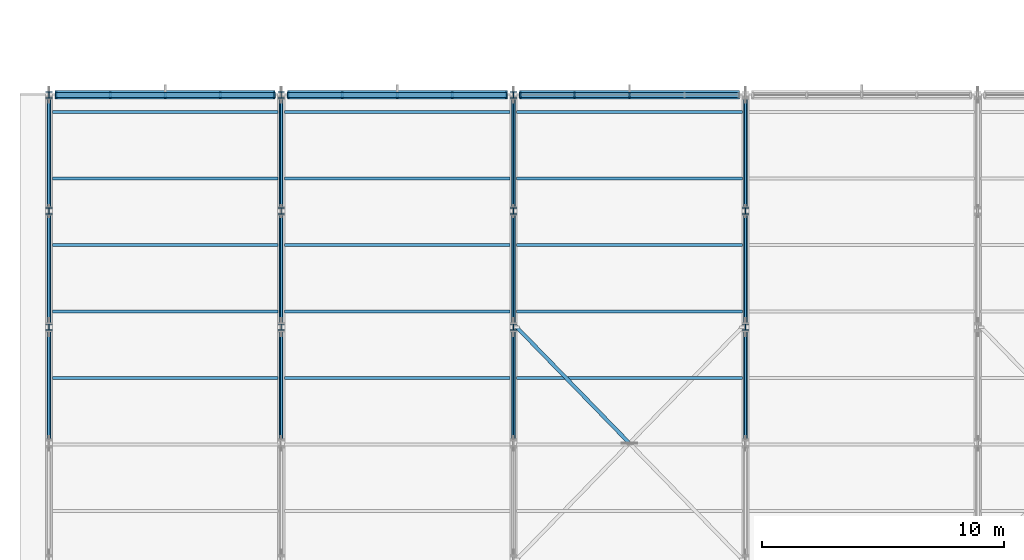
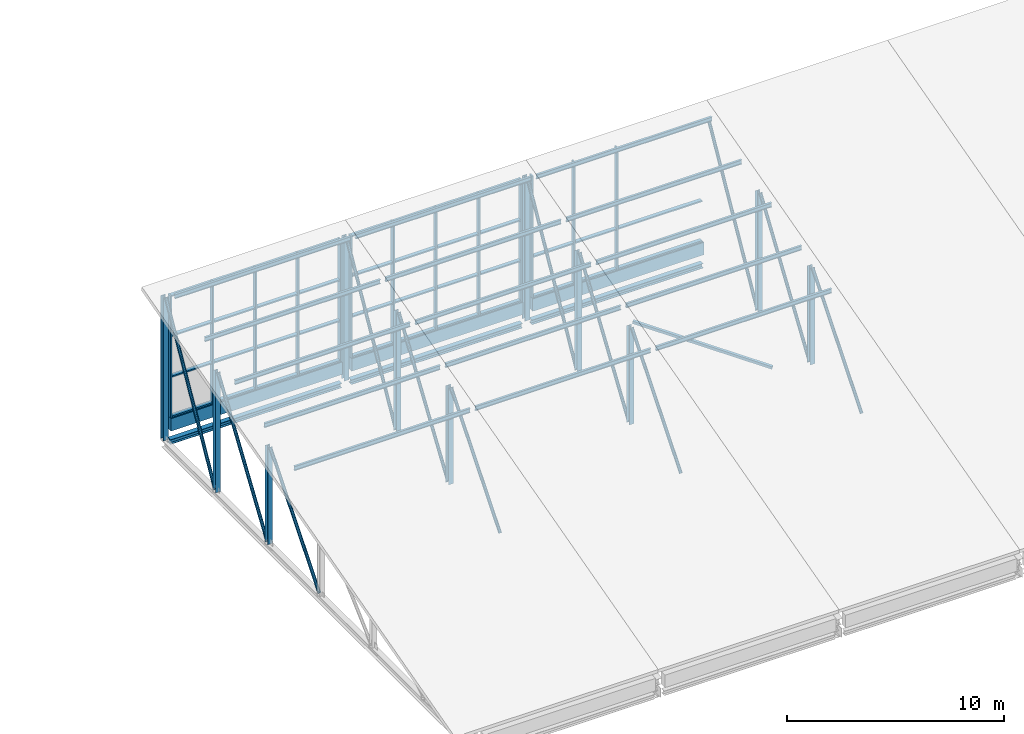
# One storey, part 5 of 57: 65 members, 3 beams, 3 elements without a shape of their own.
"""IFC4 building model written with IfcOpenShell, lengths in metres."""

from ifc_helpers import new_model, si_unit, direction, frame, origin, origin_2d, place, context, subcontext, project, spatial, rectangle, hollow_rectangle, hollow_circle, i_section, extrude, material, material_profile, profile_set, type_object, element, aggregate, save


model = new_model("IFC4")

# Units and contexts
model_context = context("Model", 3, precision=1e-05, world=origin(), true_north=direction((0.0, 1.0)))
body_context = subcontext(model_context, "Body", "Model", "MODEL_VIEW")
ifc_project = project(units=[si_unit("LENGTHUNIT", "METRE"), si_unit("AREAUNIT", "SQUARE_METRE"), si_unit("VOLUMEUNIT", "CUBIC_METRE"), si_unit("PLANEANGLEUNIT", "RADIAN"), si_unit("MASSUNIT", "GRAM", prefix="KILO")], contexts=[model_context])

# Site, building, storey
site_placement = place(None, origin())
site = spatial("IfcSite", under=ifc_project, at=site_placement, CompositionType="ELEMENT")
building_placement = place(site_placement, origin())
building = spatial("IfcBuilding", under=site, at=building_placement, Name="Shalvenor Court Art Gallery", CompositionType="ELEMENT")
storey_placement = place(building_placement, frame((0.0, 0.0, 16.800048828125)))
storey = spatial("IfcBuildingStorey", under=building, at=storey_placement, Name="L03", CompositionType="ELEMENT", Elevation=16.800048828125)

# Curtain wall, members
ifc_material_1 = material(Name="Anodised aluminium and low-iron glass curtain wall", Category="aluminium")
curtain_wall_type = type_object("IfcCurtainWallType", Name="CW-NL-V4", PredefinedType="USERDEFINED", material=ifc_material_1)
curtain_wall_1_placement = place(storey_placement, origin())
curtain_wall_1 = element("IfcCurtainWall", 1, at=curtain_wall_1_placement, inside=storey, type_object=curtain_wall_type, Name="L03 V4 North Light Clerestory 1", ObjectType="CURTAIN WALL", PredefinedType="USERDEFINED")
ifc_material_2 = material(Name="Dark anodised bronze aluminium mullion", Category="aluminium")
ifc_material_profile_1 = material_profile(ifc_material_2, rectangle(XDim=0.080078125, YDim=0.239990234375, at=origin_2d()), Name="CWM-05")
ifc_profile_set_1 = profile_set([ifc_material_profile_1], Name="Dark anodised bronze aluminium mullion")
member_type_1 = type_object("IfcMemberType", Name="CWM-05", PredefinedType="MULLION", material=ifc_profile_set_1)
member_1_placement = place(storey_placement, frame((0.2900390625, 28.800048828125, 0.0), z_axis=(0.0, 0.0, 1.0), x_axis=(1.0, 0.0, 0.0)))
member_1 = element("IfcMember", 2, at=member_1_placement, type_object=member_type_1, Name="CW-NL-V4 mullion 1", PredefinedType="MULLION", context=body_context, shape_type="SweptSolid", body=[
    extrude(rectangle(XDim=0.080078125, YDim=0.239990234375, at=origin_2d()), origin(), (0.0, 0.0, 1.0), 6.849853515625),
])
member_2_placement = place(storey_placement, frame((2.52490234375, 28.800048828125, 0.0), z_axis=(0.0, 0.0, 1.0), x_axis=(1.0, 0.0, 0.0)))
member_2 = element("IfcMember", 3, at=member_2_placement, type_object=member_type_1, Name="CW-NL-V4 mullion 2", PredefinedType="MULLION", context=body_context, shape_type="SweptSolid", body=[
    extrude(rectangle(XDim=0.080078125, YDim=0.239990234375, at=origin_2d()), origin(), (0.0, 0.0, 1.0), 6.849853515625),
])
member_3_placement = place(storey_placement, frame((4.800048828125, 28.800048828125, 0.0), z_axis=(0.0, 0.0, 1.0), x_axis=(1.0, 0.0, 0.0)))
member_3 = element("IfcMember", 4, at=member_3_placement, type_object=member_type_1, Name="CW-NL-V4 mullion 3", PredefinedType="MULLION", context=body_context, shape_type="SweptSolid", body=[
    extrude(rectangle(XDim=0.080078125, YDim=0.239990234375, at=origin_2d()), origin(), (0.0, 0.0, 1.0), 6.849853515625),
])
member_4_placement = place(storey_placement, frame((7.074951171875, 28.800048828125, 0.0), z_axis=(0.0, 0.0, 1.0), x_axis=(1.0, 0.0, 0.0)))
member_4 = element("IfcMember", 5, at=member_4_placement, type_object=member_type_1, Name="CW-NL-V4 mullion 4", PredefinedType="MULLION", context=body_context, shape_type="SweptSolid", body=[
    extrude(rectangle(XDim=0.080078125, YDim=0.239990234375, at=origin_2d()), origin(), (0.0, 0.0, 1.0), 6.849853515625),
])
member_5_placement = place(storey_placement, frame((9.31005859375, 28.800048828125, 0.0), z_axis=(0.0, 0.0, 1.0), x_axis=(1.0, 0.0, 0.0)))
member_5 = element("IfcMember", 6, at=member_5_placement, type_object=member_type_1, Name="CW-NL-V4 mullion 5", PredefinedType="MULLION", context=body_context, shape_type="SweptSolid", body=[
    extrude(rectangle(XDim=0.080078125, YDim=0.239990234375, at=origin_2d()), origin(), (0.0, 0.0, 1.0), 6.849853515625),
])

curtain_wall_2_placement = place(storey_placement, origin())
curtain_wall_2 = element("IfcCurtainWall", 7, at=curtain_wall_2_placement, inside=storey, type_object=curtain_wall_type, Name="L03 V4 North Light Clerestory 2", ObjectType="CURTAIN WALL", PredefinedType="USERDEFINED")
member_6_placement = place(storey_placement, frame((9.889892578125, 28.800048828125, 0.0), z_axis=(0.0, 0.0, 1.0), x_axis=(1.0, 0.0, 0.0)))
member_6 = element("IfcMember", 8, at=member_6_placement, type_object=member_type_1, Name="CW-NL-V4 mullion 1", PredefinedType="MULLION", context=body_context, shape_type="SweptSolid", body=[
    extrude(rectangle(XDim=0.080078125, YDim=0.239990234375, at=origin_2d()), origin(), (0.0, 0.0, 1.0), 6.849853515625),
])
member_7_placement = place(storey_placement, frame((12.125, 28.800048828125, 0.0), z_axis=(0.0, 0.0, 1.0), x_axis=(1.0, 0.0, 0.0)))
member_7 = element("IfcMember", 9, at=member_7_placement, type_object=member_type_1, Name="CW-NL-V4 mullion 2", PredefinedType="MULLION", context=body_context, shape_type="SweptSolid", body=[
    extrude(rectangle(XDim=0.080078125, YDim=0.239990234375, at=origin_2d()), origin(), (0.0, 0.0, 1.0), 6.849853515625),
])
member_8_placement = place(storey_placement, frame((14.39990234375, 28.800048828125, 0.0), z_axis=(0.0, 0.0, 1.0), x_axis=(1.0, 0.0, 0.0)))
member_8 = element("IfcMember", 10, at=member_8_placement, type_object=member_type_1, Name="CW-NL-V4 mullion 3", PredefinedType="MULLION", context=body_context, shape_type="SweptSolid", body=[
    extrude(rectangle(XDim=0.080078125, YDim=0.239990234375, at=origin_2d()), origin(), (0.0, 0.0, 1.0), 6.849853515625),
])
member_9_placement = place(storey_placement, frame((16.675048828125, 28.800048828125, 0.0), z_axis=(0.0, 0.0, 1.0), x_axis=(1.0, 0.0, 0.0)))
member_9 = element("IfcMember", 11, at=member_9_placement, type_object=member_type_1, Name="CW-NL-V4 mullion 4", PredefinedType="MULLION", context=body_context, shape_type="SweptSolid", body=[
    extrude(rectangle(XDim=0.080078125, YDim=0.239990234375, at=origin_2d()), origin(), (0.0, 0.0, 1.0), 6.849853515625),
])
member_10_placement = place(storey_placement, frame((18.909912109375, 28.800048828125, 0.0), z_axis=(0.0, 0.0, 1.0), x_axis=(1.0, 0.0, 0.0)))
member_10 = element("IfcMember", 12, at=member_10_placement, type_object=member_type_1, Name="CW-NL-V4 mullion 5", PredefinedType="MULLION", context=body_context, shape_type="SweptSolid", body=[
    extrude(rectangle(XDim=0.080078125, YDim=0.239990234375, at=origin_2d()), origin(), (0.0, 0.0, 1.0), 6.849853515625),
])

curtain_wall_3_placement = place(storey_placement, origin())
curtain_wall_3 = element("IfcCurtainWall", 13, at=curtain_wall_3_placement, inside=storey, type_object=curtain_wall_type, Name="L03 V4 North Light Clerestory 3", ObjectType="CURTAIN WALL", PredefinedType="USERDEFINED")
member_11_placement = place(storey_placement, frame((19.489990234375, 28.800048828125, 0.0), z_axis=(0.0, 0.0, 1.0), x_axis=(1.0, 0.0, 0.0)))
member_11 = element("IfcMember", 14, at=member_11_placement, type_object=member_type_1, Name="CW-NL-V4 mullion 1", PredefinedType="MULLION", context=body_context, shape_type="SweptSolid", body=[
    extrude(rectangle(XDim=0.080078125, YDim=0.239990234375, at=origin_2d()), origin(), (0.0, 0.0, 1.0), 6.849853515625),
])
member_12_placement = place(storey_placement, frame((21.72509765625, 28.800048828125, 0.0), z_axis=(0.0, 0.0, 1.0), x_axis=(1.0, 0.0, 0.0)))
member_12 = element("IfcMember", 15, at=member_12_placement, type_object=member_type_1, Name="CW-NL-V4 mullion 2", PredefinedType="MULLION", context=body_context, shape_type="SweptSolid", body=[
    extrude(rectangle(XDim=0.080078125, YDim=0.239990234375, at=origin_2d()), origin(), (0.0, 0.0, 1.0), 6.849853515625),
])
member_13_placement = place(storey_placement, frame((24.0, 28.800048828125, 0.0), z_axis=(0.0, 0.0, 1.0), x_axis=(1.0, 0.0, 0.0)))
member_13 = element("IfcMember", 16, at=member_13_placement, type_object=member_type_1, Name="CW-NL-V4 mullion 3", PredefinedType="MULLION", context=body_context, shape_type="SweptSolid", body=[
    extrude(rectangle(XDim=0.080078125, YDim=0.239990234375, at=origin_2d()), origin(), (0.0, 0.0, 1.0), 6.849853515625),
])

# Member
ifc_material_3 = material(Name="Dark anodised bronze aluminium transom", Category="aluminium")
ifc_material_profile_2 = material_profile(ifc_material_3, rectangle(XDim=0.2099609375, YDim=0.074951171875, at=origin_2d()), Name="CWT-05")
ifc_profile_set_2 = profile_set([ifc_material_profile_2], Name="Dark anodised bronze aluminium transom")
member_type_2 = type_object("IfcMemberType", Name="CWT-05", PredefinedType="USERDEFINED", material=ifc_profile_set_2)
member_14_placement = place(storey_placement, frame((0.2900390625, 28.800048828125, 0.037353515625), z_axis=(1.0, 0.0, 0.0), x_axis=(0.0, 1.0, 0.0)))
member_14 = element("IfcMember", 17, at=member_14_placement, type_object=member_type_2, Name="CW-NL-V4 transom 1", ObjectType="TRANSOM", PredefinedType="USERDEFINED", context=body_context, shape_type="SweptSolid", body=[
    extrude(rectangle(XDim=0.2099609375, YDim=0.074951171875, at=origin_2d()), origin(), (0.0, 0.0, 1.0), 9.02001953125),
])

member_15_placement = place(storey_placement, frame((0.2900390625, 28.800048828125, 2.283203125), z_axis=(1.0, 0.0, 0.0), x_axis=(0.0, 1.0, 0.0)))
member_15 = element("IfcMember", 18, at=member_15_placement, type_object=member_type_2, Name="CW-NL-V4 transom 2", ObjectType="TRANSOM", PredefinedType="USERDEFINED", context=body_context, shape_type="SweptSolid", body=[
    extrude(rectangle(XDim=0.2099609375, YDim=0.074951171875, at=origin_2d()), origin(), (0.0, 0.0, 1.0), 9.02001953125),
])

member_16_placement = place(storey_placement, frame((0.2900390625, 28.800048828125, 4.566650390625), z_axis=(1.0, 0.0, 0.0), x_axis=(0.0, 1.0, 0.0)))
member_16 = element("IfcMember", 19, at=member_16_placement, type_object=member_type_2, Name="CW-NL-V4 transom 3", ObjectType="TRANSOM", PredefinedType="USERDEFINED", context=body_context, shape_type="SweptSolid", body=[
    extrude(rectangle(XDim=0.2099609375, YDim=0.074951171875, at=origin_2d()), origin(), (0.0, 0.0, 1.0), 9.02001953125),
])

member_17_placement = place(storey_placement, frame((0.2900390625, 28.800048828125, 6.8125), z_axis=(1.0, 0.0, 0.0), x_axis=(0.0, 1.0, 0.0)))
member_17 = element("IfcMember", 20, at=member_17_placement, type_object=member_type_2, Name="CW-NL-V4 transom 4", ObjectType="TRANSOM", PredefinedType="USERDEFINED", context=body_context, shape_type="SweptSolid", body=[
    extrude(rectangle(XDim=0.2099609375, YDim=0.074951171875, at=origin_2d()), origin(), (0.0, 0.0, 1.0), 9.02001953125),
])

aggregate(curtain_wall_1, [member_1, member_2, member_3, member_4, member_5, member_14, member_15, member_16, member_17])

member_18_placement = place(storey_placement, frame((9.889892578125, 28.800048828125, 0.037353515625), z_axis=(1.0, 0.0, 0.0), x_axis=(0.0, 1.0, 0.0)))
member_18 = element("IfcMember", 21, at=member_18_placement, type_object=member_type_2, Name="CW-NL-V4 transom 1", ObjectType="TRANSOM", PredefinedType="USERDEFINED", context=body_context, shape_type="SweptSolid", body=[
    extrude(rectangle(XDim=0.2099609375, YDim=0.074951171875, at=origin_2d()), origin(), (0.0, 0.0, 1.0), 9.02001953125),
])

member_19_placement = place(storey_placement, frame((9.889892578125, 28.800048828125, 2.283203125), z_axis=(1.0, 0.0, 0.0), x_axis=(0.0, 1.0, 0.0)))
member_19 = element("IfcMember", 22, at=member_19_placement, type_object=member_type_2, Name="CW-NL-V4 transom 2", ObjectType="TRANSOM", PredefinedType="USERDEFINED", context=body_context, shape_type="SweptSolid", body=[
    extrude(rectangle(XDim=0.2099609375, YDim=0.074951171875, at=origin_2d()), origin(), (0.0, 0.0, 1.0), 9.02001953125),
])

member_20_placement = place(storey_placement, frame((9.889892578125, 28.800048828125, 4.566650390625), z_axis=(1.0, 0.0, 0.0), x_axis=(0.0, 1.0, 0.0)))
member_20 = element("IfcMember", 23, at=member_20_placement, type_object=member_type_2, Name="CW-NL-V4 transom 3", ObjectType="TRANSOM", PredefinedType="USERDEFINED", context=body_context, shape_type="SweptSolid", body=[
    extrude(rectangle(XDim=0.2099609375, YDim=0.074951171875, at=origin_2d()), origin(), (0.0, 0.0, 1.0), 9.02001953125),
])

member_21_placement = place(storey_placement, frame((9.889892578125, 28.800048828125, 6.8125), z_axis=(1.0, 0.0, 0.0), x_axis=(0.0, 1.0, 0.0)))
member_21 = element("IfcMember", 24, at=member_21_placement, type_object=member_type_2, Name="CW-NL-V4 transom 4", ObjectType="TRANSOM", PredefinedType="USERDEFINED", context=body_context, shape_type="SweptSolid", body=[
    extrude(rectangle(XDim=0.2099609375, YDim=0.074951171875, at=origin_2d()), origin(), (0.0, 0.0, 1.0), 9.02001953125),
])

aggregate(curtain_wall_2, [member_6, member_7, member_8, member_9, member_10, member_18, member_19, member_20, member_21])

member_22_placement = place(storey_placement, frame((19.489990234375, 28.800048828125, 0.037353515625), z_axis=(1.0, 0.0, 0.0), x_axis=(0.0, 1.0, 0.0)))
member_22 = element("IfcMember", 25, at=member_22_placement, type_object=member_type_2, Name="CW-NL-V4 transom 1", ObjectType="TRANSOM", PredefinedType="USERDEFINED", context=body_context, shape_type="SweptSolid", body=[
    extrude(rectangle(XDim=0.2099609375, YDim=0.074951171875, at=origin_2d()), origin(), (0.0, 0.0, 1.0), 9.02001953125),
])

member_23_placement = place(storey_placement, frame((19.489990234375, 28.800048828125, 2.283203125), z_axis=(1.0, 0.0, 0.0), x_axis=(0.0, 1.0, 0.0)))
member_23 = element("IfcMember", 26, at=member_23_placement, type_object=member_type_2, Name="CW-NL-V4 transom 2", ObjectType="TRANSOM", PredefinedType="USERDEFINED", context=body_context, shape_type="SweptSolid", body=[
    extrude(rectangle(XDim=0.2099609375, YDim=0.074951171875, at=origin_2d()), origin(), (0.0, 0.0, 1.0), 9.02001953125),
])

aggregate(curtain_wall_3, [member_11, member_12, member_13, member_22, member_23])

# Members
ifc_material_4 = material(Name="Steel S355", Category="steel")
ifc_material_profile_3 = material_profile(ifc_material_4, i_section(OverallWidth=0.1201171875, OverallDepth=0.239990234375, WebThickness=0.006103515625, FlangeThickness=0.009765625, at=origin_2d()), Name="IPE 240")
ifc_profile_set_3 = profile_set([ifc_material_profile_3], Name="Steel S355")
member_type_3 = type_object("IfcMemberType", Name="PR-02", PredefinedType="PURLIN", material=ifc_profile_set_3)
for number, where, z_axis, x_axis, name in (
    (27, (0.135009765625, 17.10009765625, 4.2548828125), (1.0, 0.0, 0.0), (0.0, 1.0, 0.0), "L03 V4 Roof Purlin 1.7"),
    (28, (0.135009765625, 19.85009765625, 4.999755859375), (1.0, 0.0, 0.0), (0.0, 1.0, 0.0), "L03 V4 Roof Purlin 1.8"),
    (29, (0.135009765625, 22.60009765625, 5.744384765625), (1.0, 0.0, 0.0), (0.0, 1.0, 0.0), "L03 V4 Roof Purlin 1.9"),
    (30, (0.135009765625, 25.35009765625, 6.4892578125), (1.0, 0.0, 0.0), (0.0, 1.0, 0.0), "L03 V4 Roof Purlin 1.10"),
    (31, (0.135009765625, 28.10009765625, 7.234130859375), (1.0, 0.0, 0.0), (0.0, 1.0, 0.0), "L03 V4 Roof Purlin 1.11"),
):
    element("IfcMember", number, at=place(storey_placement, frame(where, z_axis=z_axis, x_axis=x_axis)), inside=storey, type_object=member_type_3, Name=name, PredefinedType="PURLIN", context=body_context, shape_type="SweptSolid", body=[
        extrude(i_section(OverallWidth=0.1201171875, OverallDepth=0.239990234375, WebThickness=0.006103515625, FlangeThickness=0.009765625, at=origin_2d()), origin(), (0.0, 0.0, 1.0), 9.330078125),
    ])
for number, where, z_axis, x_axis, name in (
    (32, (9.735107421875, 17.10009765625, 4.2548828125), (1.0, 0.0, 0.0), (0.0, 1.0, 0.0), "L03 V4 Roof Purlin 2.7"),
    (33, (9.735107421875, 19.85009765625, 4.999755859375), (1.0, 0.0, 0.0), (0.0, 1.0, 0.0), "L03 V4 Roof Purlin 2.8"),
    (34, (9.735107421875, 22.60009765625, 5.744384765625), (1.0, 0.0, 0.0), (0.0, 1.0, 0.0), "L03 V4 Roof Purlin 2.9"),
    (35, (9.735107421875, 25.35009765625, 6.4892578125), (1.0, 0.0, 0.0), (0.0, 1.0, 0.0), "L03 V4 Roof Purlin 2.10"),
    (36, (9.735107421875, 28.10009765625, 7.234130859375), (1.0, 0.0, 0.0), (0.0, 1.0, 0.0), "L03 V4 Roof Purlin 2.11"),
):
    element("IfcMember", number, at=place(storey_placement, frame(where, z_axis=z_axis, x_axis=x_axis)), inside=storey, type_object=member_type_3, Name=name, PredefinedType="PURLIN", context=body_context, shape_type="SweptSolid", body=[
        extrude(i_section(OverallWidth=0.1201171875, OverallDepth=0.239990234375, WebThickness=0.006103515625, FlangeThickness=0.009765625, at=origin_2d()), origin(), (0.0, 0.0, 1.0), 9.329833984375),
    ])
for number, where, z_axis, x_axis, name in (
    (37, (19.3349609375, 17.10009765625, 4.2548828125), (1.0, 0.0, 0.0), (0.0, 1.0, 0.0), "L03 V4 Roof Purlin 3.7"),
    (38, (19.3349609375, 19.85009765625, 4.999755859375), (1.0, 0.0, 0.0), (0.0, 1.0, 0.0), "L03 V4 Roof Purlin 3.8"),
    (39, (19.3349609375, 22.60009765625, 5.744384765625), (1.0, 0.0, 0.0), (0.0, 1.0, 0.0), "L03 V4 Roof Purlin 3.9"),
    (40, (19.3349609375, 25.35009765625, 6.4892578125), (1.0, 0.0, 0.0), (0.0, 1.0, 0.0), "L03 V4 Roof Purlin 3.10"),
    (41, (19.3349609375, 28.10009765625, 7.234130859375), (1.0, 0.0, 0.0), (0.0, 1.0, 0.0), "L03 V4 Roof Purlin 3.11"),
):
    element("IfcMember", number, at=place(storey_placement, frame(where, z_axis=z_axis, x_axis=x_axis)), inside=storey, type_object=member_type_3, Name=name, PredefinedType="PURLIN", context=body_context, shape_type="SweptSolid", body=[
        extrude(i_section(OverallWidth=0.1201171875, OverallDepth=0.239990234375, WebThickness=0.006103515625, FlangeThickness=0.009765625, at=origin_2d()), origin(), (0.0, 0.0, 1.0), 9.330078125),
    ])

# Beams
ifc_material_5 = material(Name="Concrete C40/50", Category="concrete")
ifc_material_profile_4 = material_profile(ifc_material_5, rectangle(XDim=0.35009765625, YDim=0.699951171875, at=origin_2d()), Name="RC 350x700")
ifc_profile_set_4 = profile_set([ifc_material_profile_4], Name="Concrete C40/50")
beam_type = type_object("IfcBeamType", Name="SP-01", PredefinedType="SPANDREL", material=ifc_profile_set_4)
beam_1_placement = place(storey_placement, frame((0.25, 28.800048828125, -0.35009765625), z_axis=(1.0, 0.0, 0.0), x_axis=(0.0, 1.0, 0.0)))
element("IfcBeam", 42, at=beam_1_placement, inside=storey, type_object=beam_type, Name="L03 Spandrel Girder BM-L03-SP-01-1057", PredefinedType="SPANDREL", context=body_context, shape_type="SweptSolid", body=[
    extrude(rectangle(XDim=0.35009765625, YDim=0.699951171875, at=origin_2d()), origin(), (0.0, 0.0, 1.0), 9.10009765625),
])
beam_2_placement = place(storey_placement, frame((9.85009765625, 28.800048828125, -0.35009765625), z_axis=(1.0, 0.0, 0.0), x_axis=(0.0, 1.0, 0.0)))
element("IfcBeam", 43, at=beam_2_placement, inside=storey, type_object=beam_type, Name="L03 Spandrel Girder BM-L03-SP-01-1058", PredefinedType="SPANDREL", context=body_context, shape_type="SweptSolid", body=[
    extrude(rectangle(XDim=0.35009765625, YDim=0.699951171875, at=origin_2d()), origin(), (0.0, 0.0, 1.0), 9.099853515625),
])
beam_3_placement = place(storey_placement, frame((19.449951171875, 28.800048828125, -0.35009765625), z_axis=(1.0, 0.0, 0.0), x_axis=(0.0, 1.0, 0.0)))
element("IfcBeam", 44, at=beam_3_placement, inside=storey, type_object=beam_type, Name="L03 Spandrel Girder BM-L03-SP-01-1059", PredefinedType="SPANDREL", context=body_context, shape_type="SweptSolid", body=[
    extrude(rectangle(XDim=0.35009765625, YDim=0.699951171875, at=origin_2d()), origin(), (0.0, 0.0, 1.0), 9.10009765625),
])

# Members
ifc_material_6 = material(Name="Steel S355", Category="steel")
ifc_material_profile_5 = material_profile(ifc_material_6, hollow_rectangle(XDim=0.14990234375, YDim=0.14990234375, WallThickness=0.008056640625, at=origin_2d()), Name="SHS 150x150x8.0")
ifc_profile_set_5 = profile_set([ifc_material_profile_5], Name="Steel S355")
member_type_4 = type_object("IfcMemberType", Name="TM-B1", PredefinedType="BRACE", material=ifc_profile_set_5)
member_24_placement = place(storey_placement, frame((23.986328125, 14.4140625, 3.195556640625), z_axis=(-0.684173061882, 0.703959927151, 0.190650576608), x_axis=(-0.71711324433, -0.696956666376, 0.0)))
element("IfcMember", 45, at=member_24_placement, inside=storey, type_object=member_type_4, Name="L03 V4 Roof Plan Brace 3.2B", PredefinedType="BRACE", context=body_context, shape_type="SweptSolid", body=[
    extrude(hollow_rectangle(XDim=0.14990234375, YDim=0.14990234375, WallThickness=0.008056640625, at=origin_2d()), origin(), (0.0, 0.0, 1.0), 6.798583984375),
])
ifc_material_7 = material(Name="Steel S355", Category="steel")
ifc_material_profile_6 = material_profile(ifc_material_7, i_section(OverallWidth=0.260009765625, OverallDepth=0.260009765625, WebThickness=0.010009765625, FlangeThickness=0.017578125, at=origin_2d()), Name="HEB 260")
ifc_profile_set_6 = profile_set([ifc_material_profile_6], Name="Steel S355")
member_type_5 = type_object("IfcMemberType", Name="TM-C1", PredefinedType="CHORD", material=ifc_profile_set_6)
member_25_placement = place(storey_placement, frame((0.25, 28.800048828125, -1.35009765625), z_axis=(1.0, 0.0, 0.0), x_axis=(0.0, 1.0, 0.0)))
element("IfcMember", 46, at=member_25_placement, inside=storey, type_object=member_type_5, Name="L03 V4 Eave Truss Chord Tie 1.2", PredefinedType="CHORD", context=body_context, shape_type="SweptSolid", body=[
    extrude(i_section(OverallWidth=0.260009765625, OverallDepth=0.260009765625, WebThickness=0.010009765625, FlangeThickness=0.017578125, at=origin_2d()), origin(), (0.0, 0.0, 1.0), 9.10009765625),
])
member_26_placement = place(storey_placement, frame((9.85009765625, 28.800048828125, -1.35009765625), z_axis=(1.0, 0.0, 0.0), x_axis=(0.0, 1.0, 0.0)))
element("IfcMember", 47, at=member_26_placement, inside=storey, type_object=member_type_5, Name="L03 V4 Eave Truss Chord Tie 2.2", PredefinedType="CHORD", context=body_context, shape_type="SweptSolid", body=[
    extrude(i_section(OverallWidth=0.260009765625, OverallDepth=0.260009765625, WebThickness=0.010009765625, FlangeThickness=0.017578125, at=origin_2d()), origin(), (0.0, 0.0, 1.0), 9.099853515625),
])
member_27_placement = place(storey_placement, frame((19.449951171875, 28.800048828125, -1.35009765625), z_axis=(1.0, 0.0, 0.0), x_axis=(0.0, 1.0, 0.0)))
element("IfcMember", 48, at=member_27_placement, inside=storey, type_object=member_type_5, Name="L03 V4 Eave Truss Chord Tie 3.2", PredefinedType="CHORD", context=body_context, shape_type="SweptSolid", body=[
    extrude(i_section(OverallWidth=0.260009765625, OverallDepth=0.260009765625, WebThickness=0.010009765625, FlangeThickness=0.017578125, at=origin_2d()), origin(), (0.0, 0.0, 1.0), 9.10009765625),
])
ifc_material_8 = material(Name="Steel S355", Category="steel")
ifc_material_profile_7 = material_profile(ifc_material_8, hollow_circle(Radius=0.084228515625, WallThickness=0.008056640625, at=origin_2d()), Name="CHS 168.3x8.0")
ifc_profile_set_7 = profile_set([ifc_material_profile_7], Name="Steel S355")
member_type_6 = type_object("IfcMemberType", Name="TM-D2", PredefinedType="BRACE", material=ifc_profile_set_7)
member_28_placement = place(storey_placement, frame((0.0, 14.5400390625, -1.16015625), z_axis=(0.0, 0.638941157708, 0.769255612256), x_axis=(-1.0, 0.0, 0.0)))
element("IfcMember", 49, at=member_28_placement, inside=storey, type_object=member_type_6, Name="TR-V4-01 Roof Truss Diagonal 4", PredefinedType="BRACE", context=body_context, shape_type="SweptSolid", body=[
    extrude(hollow_circle(Radius=0.084228515625, WallThickness=0.008056640625, at=origin_2d()), origin(), (0.0, 0.0, 1.0), 7.07421875),
])
member_29_placement = place(storey_placement, frame((0.0, 19.340087890625, -1.16015625), z_axis=(0.0, 0.556877845095, 0.830594405015), x_axis=(-1.0, 0.0, 0.0)))
element("IfcMember", 50, at=member_29_placement, inside=storey, type_object=member_type_6, Name="TR-V4-01 Roof Truss Diagonal 5", PredefinedType="BRACE", context=body_context, shape_type="SweptSolid", body=[
    extrude(hollow_circle(Radius=0.084228515625, WallThickness=0.008056640625, at=origin_2d()), origin(), (0.0, 0.0, 1.0), 8.11669921875),
])
member_30_placement = place(storey_placement, frame((0.0, 24.139892578125, -1.16015625), z_axis=(0.0, 0.489975986484, 0.871735930583), x_axis=(-1.0, 0.0, 0.0)))
element("IfcMember", 51, at=member_30_placement, inside=storey, type_object=member_type_6, Name="TR-V4-01 Roof Truss Diagonal 6", PredefinedType="BRACE", context=body_context, shape_type="SweptSolid", body=[
    extrude(hollow_circle(Radius=0.084228515625, WallThickness=0.008056640625, at=origin_2d()), origin(), (0.0, 0.0, 1.0), 9.22509765625),
])
member_31_placement = place(storey_placement, frame((9.60009765625, 14.5400390625, -1.16015625), z_axis=(0.0, 0.638941157708, 0.769255612256), x_axis=(-1.0, 0.0, 0.0)))
element("IfcMember", 52, at=member_31_placement, inside=storey, type_object=member_type_6, Name="TR-V4-02 Roof Truss Diagonal 4", PredefinedType="BRACE", context=body_context, shape_type="SweptSolid", body=[
    extrude(hollow_circle(Radius=0.084228515625, WallThickness=0.008056640625, at=origin_2d()), origin(), (0.0, 0.0, 1.0), 7.07421875),
])
member_32_placement = place(storey_placement, frame((9.60009765625, 19.340087890625, -1.16015625), z_axis=(0.0, 0.556877845095, 0.830594405015), x_axis=(-1.0, 0.0, 0.0)))
element("IfcMember", 53, at=member_32_placement, inside=storey, type_object=member_type_6, Name="TR-V4-02 Roof Truss Diagonal 5", PredefinedType="BRACE", context=body_context, shape_type="SweptSolid", body=[
    extrude(hollow_circle(Radius=0.084228515625, WallThickness=0.008056640625, at=origin_2d()), origin(), (0.0, 0.0, 1.0), 8.11669921875),
])
member_33_placement = place(storey_placement, frame((9.60009765625, 24.139892578125, -1.16015625), z_axis=(0.0, 0.489975986484, 0.871735930583), x_axis=(-1.0, 0.0, 0.0)))
element("IfcMember", 54, at=member_33_placement, inside=storey, type_object=member_type_6, Name="TR-V4-02 Roof Truss Diagonal 6", PredefinedType="BRACE", context=body_context, shape_type="SweptSolid", body=[
    extrude(hollow_circle(Radius=0.084228515625, WallThickness=0.008056640625, at=origin_2d()), origin(), (0.0, 0.0, 1.0), 9.22509765625),
])
member_34_placement = place(storey_placement, frame((19.199951171875, 14.5400390625, -1.16015625), z_axis=(0.0, 0.638941157708, 0.769255612256), x_axis=(-1.0, 0.0, 0.0)))
element("IfcMember", 55, at=member_34_placement, inside=storey, type_object=member_type_6, Name="TR-V4-03 Roof Truss Diagonal 4", PredefinedType="BRACE", context=body_context, shape_type="SweptSolid", body=[
    extrude(hollow_circle(Radius=0.084228515625, WallThickness=0.008056640625, at=origin_2d()), origin(), (0.0, 0.0, 1.0), 7.07421875),
])
member_35_placement = place(storey_placement, frame((19.199951171875, 19.340087890625, -1.16015625), z_axis=(0.0, 0.556877845095, 0.830594405015), x_axis=(-1.0, 0.0, 0.0)))
element("IfcMember", 56, at=member_35_placement, inside=storey, type_object=member_type_6, Name="TR-V4-03 Roof Truss Diagonal 5", PredefinedType="BRACE", context=body_context, shape_type="SweptSolid", body=[
    extrude(hollow_circle(Radius=0.084228515625, WallThickness=0.008056640625, at=origin_2d()), origin(), (0.0, 0.0, 1.0), 8.11669921875),
])
member_36_placement = place(storey_placement, frame((19.199951171875, 24.139892578125, -1.16015625), z_axis=(0.0, 0.489975986484, 0.871735930583), x_axis=(-1.0, 0.0, 0.0)))
element("IfcMember", 57, at=member_36_placement, inside=storey, type_object=member_type_6, Name="TR-V4-03 Roof Truss Diagonal 6", PredefinedType="BRACE", context=body_context, shape_type="SweptSolid", body=[
    extrude(hollow_circle(Radius=0.084228515625, WallThickness=0.008056640625, at=origin_2d()), origin(), (0.0, 0.0, 1.0), 9.22509765625),
])
member_37_placement = place(storey_placement, frame((28.800048828125, 14.5400390625, -1.16015625), z_axis=(0.0, 0.638941157708, 0.769255612256), x_axis=(-1.0, 0.0, 0.0)))
element("IfcMember", 58, at=member_37_placement, inside=storey, type_object=member_type_6, Name="TR-V4-04 Roof Truss Diagonal 4", PredefinedType="BRACE", context=body_context, shape_type="SweptSolid", body=[
    extrude(hollow_circle(Radius=0.084228515625, WallThickness=0.008056640625, at=origin_2d()), origin(), (0.0, 0.0, 1.0), 7.07421875),
])
member_38_placement = place(storey_placement, frame((28.800048828125, 19.340087890625, -1.16015625), z_axis=(0.0, 0.556877845095, 0.830594405015), x_axis=(-1.0, 0.0, 0.0)))
element("IfcMember", 59, at=member_38_placement, inside=storey, type_object=member_type_6, Name="TR-V4-04 Roof Truss Diagonal 5", PredefinedType="BRACE", context=body_context, shape_type="SweptSolid", body=[
    extrude(hollow_circle(Radius=0.084228515625, WallThickness=0.008056640625, at=origin_2d()), origin(), (0.0, 0.0, 1.0), 8.11669921875),
])
member_39_placement = place(storey_placement, frame((28.800048828125, 24.139892578125, -1.16015625), z_axis=(0.0, 0.489975986484, 0.871735930583), x_axis=(-1.0, 0.0, 0.0)))
element("IfcMember", 60, at=member_39_placement, inside=storey, type_object=member_type_6, Name="TR-V4-04 Roof Truss Diagonal 6", PredefinedType="BRACE", context=body_context, shape_type="SweptSolid", body=[
    extrude(hollow_circle(Radius=0.084228515625, WallThickness=0.008056640625, at=origin_2d()), origin(), (0.0, 0.0, 1.0), 9.22509765625),
])
ifc_material_9 = material(Name="Steel S355", Category="steel")
ifc_material_profile_8 = material_profile(ifc_material_9, i_section(OverallWidth=0.260009765625, OverallDepth=0.260009765625, WebThickness=0.010009765625, FlangeThickness=0.017578125, at=origin_2d()), Name="HEB 260")
ifc_profile_set_8 = profile_set([ifc_material_profile_8], Name="Steel S355")
member_type_7 = type_object("IfcMemberType", Name="TM-V1", PredefinedType="STRUT", material=ifc_profile_set_8)
member_40_placement = place(storey_placement, frame((0.0, 19.199951171875, -1.155029296875), z_axis=(0.0, 0.0, 1.0), x_axis=(1.0, 0.0, 0.0)))
element("IfcMember", 61, at=member_40_placement, inside=storey, type_object=member_type_7, Name="TR-V4-01 Roof Truss Vertical 5", PredefinedType="STRUT", context=body_context, shape_type="SweptSolid", body=[
    extrude(i_section(OverallWidth=0.260009765625, OverallDepth=0.260009765625, WebThickness=0.010009765625, FlangeThickness=0.017578125, at=origin_2d()), origin(), (0.0, 0.0, 1.0), 5.431640625),
])
member_41_placement = place(storey_placement, frame((0.0, 24.0, -1.155029296875), z_axis=(0.0, 0.0, 1.0), x_axis=(1.0, 0.0, 0.0)))
element("IfcMember", 62, at=member_41_placement, inside=storey, type_object=member_type_7, Name="TR-V4-01 Roof Truss Vertical 6", PredefinedType="STRUT", context=body_context, shape_type="SweptSolid", body=[
    extrude(i_section(OverallWidth=0.260009765625, OverallDepth=0.260009765625, WebThickness=0.010009765625, FlangeThickness=0.017578125, at=origin_2d()), origin(), (0.0, 0.0, 1.0), 6.731689453125),
])
member_42_placement = place(storey_placement, frame((0.0, 28.800048828125, -1.155029296875), z_axis=(0.0, 0.0, 1.0), x_axis=(1.0, 0.0, 0.0)))
element("IfcMember", 63, at=member_42_placement, inside=storey, type_object=member_type_7, Name="TR-V4-01 Roof Truss Vertical 7", PredefinedType="STRUT", context=body_context, shape_type="SweptSolid", body=[
    extrude(i_section(OverallWidth=0.260009765625, OverallDepth=0.260009765625, WebThickness=0.010009765625, FlangeThickness=0.017578125, at=origin_2d()), origin(), (0.0, 0.0, 1.0), 8.03173828125),
])
member_43_placement = place(storey_placement, frame((9.60009765625, 19.199951171875, -1.155029296875), z_axis=(0.0, 0.0, 1.0), x_axis=(1.0, 0.0, 0.0)))
element("IfcMember", 64, at=member_43_placement, inside=storey, type_object=member_type_7, Name="TR-V4-02 Roof Truss Vertical 5", PredefinedType="STRUT", context=body_context, shape_type="SweptSolid", body=[
    extrude(i_section(OverallWidth=0.260009765625, OverallDepth=0.260009765625, WebThickness=0.010009765625, FlangeThickness=0.017578125, at=origin_2d()), origin(), (0.0, 0.0, 1.0), 5.431640625),
])
member_44_placement = place(storey_placement, frame((9.60009765625, 24.0, -1.155029296875), z_axis=(0.0, 0.0, 1.0), x_axis=(1.0, 0.0, 0.0)))
element("IfcMember", 65, at=member_44_placement, inside=storey, type_object=member_type_7, Name="TR-V4-02 Roof Truss Vertical 6", PredefinedType="STRUT", context=body_context, shape_type="SweptSolid", body=[
    extrude(i_section(OverallWidth=0.260009765625, OverallDepth=0.260009765625, WebThickness=0.010009765625, FlangeThickness=0.017578125, at=origin_2d()), origin(), (0.0, 0.0, 1.0), 6.731689453125),
])
member_45_placement = place(storey_placement, frame((9.60009765625, 28.800048828125, -1.155029296875), z_axis=(0.0, 0.0, 1.0), x_axis=(1.0, 0.0, 0.0)))
element("IfcMember", 66, at=member_45_placement, inside=storey, type_object=member_type_7, Name="TR-V4-02 Roof Truss Vertical 7", PredefinedType="STRUT", context=body_context, shape_type="SweptSolid", body=[
    extrude(i_section(OverallWidth=0.260009765625, OverallDepth=0.260009765625, WebThickness=0.010009765625, FlangeThickness=0.017578125, at=origin_2d()), origin(), (0.0, 0.0, 1.0), 8.03173828125),
])
member_46_placement = place(storey_placement, frame((19.199951171875, 19.199951171875, -1.155029296875), z_axis=(0.0, 0.0, 1.0), x_axis=(1.0, 0.0, 0.0)))
element("IfcMember", 67, at=member_46_placement, inside=storey, type_object=member_type_7, Name="TR-V4-03 Roof Truss Vertical 5", PredefinedType="STRUT", context=body_context, shape_type="SweptSolid", body=[
    extrude(i_section(OverallWidth=0.260009765625, OverallDepth=0.260009765625, WebThickness=0.010009765625, FlangeThickness=0.017578125, at=origin_2d()), origin(), (0.0, 0.0, 1.0), 5.431640625),
])
member_47_placement = place(storey_placement, frame((19.199951171875, 24.0, -1.155029296875), z_axis=(0.0, 0.0, 1.0), x_axis=(1.0, 0.0, 0.0)))
element("IfcMember", 68, at=member_47_placement, inside=storey, type_object=member_type_7, Name="TR-V4-03 Roof Truss Vertical 6", PredefinedType="STRUT", context=body_context, shape_type="SweptSolid", body=[
    extrude(i_section(OverallWidth=0.260009765625, OverallDepth=0.260009765625, WebThickness=0.010009765625, FlangeThickness=0.017578125, at=origin_2d()), origin(), (0.0, 0.0, 1.0), 6.731689453125),
])
member_48_placement = place(storey_placement, frame((19.199951171875, 28.800048828125, -1.155029296875), z_axis=(0.0, 0.0, 1.0), x_axis=(1.0, 0.0, 0.0)))
element("IfcMember", 69, at=member_48_placement, inside=storey, type_object=member_type_7, Name="TR-V4-03 Roof Truss Vertical 7", PredefinedType="STRUT", context=body_context, shape_type="SweptSolid", body=[
    extrude(i_section(OverallWidth=0.260009765625, OverallDepth=0.260009765625, WebThickness=0.010009765625, FlangeThickness=0.017578125, at=origin_2d()), origin(), (0.0, 0.0, 1.0), 8.03173828125),
])
member_49_placement = place(storey_placement, frame((28.800048828125, 19.199951171875, -1.155029296875), z_axis=(0.0, 0.0, 1.0), x_axis=(1.0, 0.0, 0.0)))
element("IfcMember", 70, at=member_49_placement, inside=storey, type_object=member_type_7, Name="TR-V4-04 Roof Truss Vertical 5", PredefinedType="STRUT", context=body_context, shape_type="SweptSolid", body=[
    extrude(i_section(OverallWidth=0.260009765625, OverallDepth=0.260009765625, WebThickness=0.010009765625, FlangeThickness=0.017578125, at=origin_2d()), origin(), (0.0, 0.0, 1.0), 5.431640625),
])
member_50_placement = place(storey_placement, frame((28.800048828125, 24.0, -1.155029296875), z_axis=(0.0, 0.0, 1.0), x_axis=(1.0, 0.0, 0.0)))
element("IfcMember", 71, at=member_50_placement, inside=storey, type_object=member_type_7, Name="TR-V4-04 Roof Truss Vertical 6", PredefinedType="STRUT", context=body_context, shape_type="SweptSolid", body=[
    extrude(i_section(OverallWidth=0.260009765625, OverallDepth=0.260009765625, WebThickness=0.010009765625, FlangeThickness=0.017578125, at=origin_2d()), origin(), (0.0, 0.0, 1.0), 6.731689453125),
])

save(model, "model.ifc")
